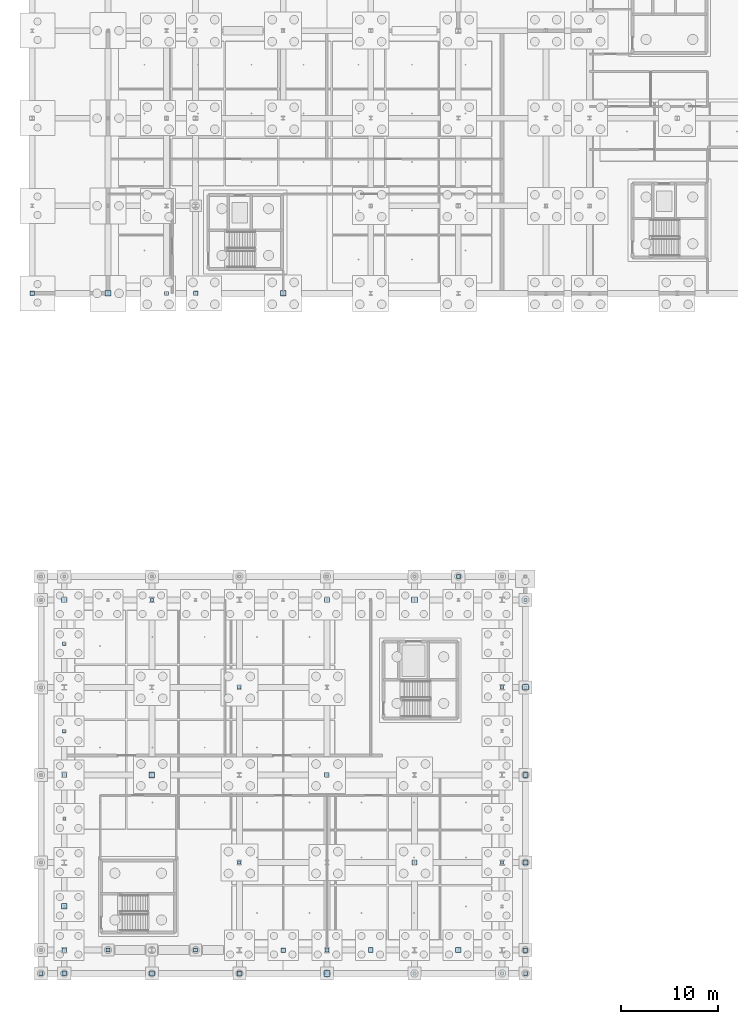
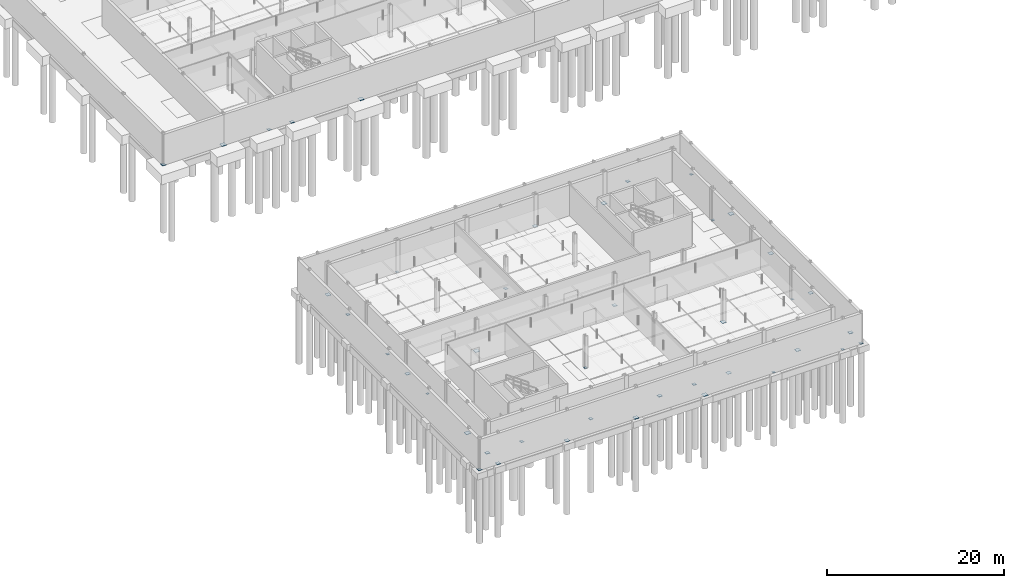
# One storey, part 21 of 48: 42 plates.
"""IFC4 building model written with IfcOpenShell, lengths in metres."""

from ifc_helpers import new_model, si_unit, direction, frame, origin, origin_2d, place, context, subcontext, project, spatial, rectangle, extrude, material, layer, layer_set, type_object, element, save


model = new_model("IFC4")

# Units and contexts
model_context = context("Model", 3, precision=1e-05, world=origin(), true_north=direction((0.0, 1.0)))
body_context = subcontext(model_context, "Body", "Model", "MODEL_VIEW")
ifc_project = project(units=[si_unit("LENGTHUNIT", "METRE"), si_unit("AREAUNIT", "SQUARE_METRE"), si_unit("VOLUMEUNIT", "CUBIC_METRE"), si_unit("PLANEANGLEUNIT", "RADIAN"), si_unit("MASSUNIT", "GRAM", prefix="KILO"), si_unit("THERMODYNAMICTEMPERATUREUNIT", "KELVIN"), si_unit("POWERUNIT", "WATT")], contexts=[model_context])

# Site, building, storey
site_placement = place(None, origin())
site = spatial("IfcSite", under=ifc_project, at=site_placement, CompositionType="ELEMENT")
building_placement = place(site_placement, origin())
building = spatial("IfcBuilding", under=site, at=building_placement, Name="Tallowbark Science Centre", CompositionType="ELEMENT")
storey_placement = place(building_placement, frame((0.0, 0.0, -4.5)))
storey = spatial("IfcBuildingStorey", under=building, at=storey_placement, Name="B1", CompositionType="ELEMENT", Elevation=-4.5)

# Plates
ifc_material = material(Name="Structural Steel Grade 300PLUS (300 MPa)", Category="steel")
ifc_layer_1 = layer(ifc_material, 0.010009765625)
ifc_layer_set_1 = layer_set([ifc_layer_1], Name="Structural Steel Grade 300PLUS (300 MPa)")
plate_type_1 = type_object("IfcPlateType", Name="PLT-GUS-10", PredefinedType="SHEET", material=ifc_layer_set_1)
for number, where, z_axis, x_axis, name in (
    (1, (67.5, 40.5, 0.0), (0.0, 0.0, 1.0), (1.0, 0.0, 0.0), "Column Baseplate CUB-M1_4"),
    (2, (103.5, 13.5, 0.0), (0.0, 0.0, 1.0), (1.0, 0.0, 0.0), "Column Baseplate CUB-M5_1"),
    (3, (58.5, 18.0, 0.0), (0.0, 0.0, 1.0), (1.0, 0.0, 0.0), "Column Baseplate CUB-PW-1"),
    (4, (94.5, 2.10009765625, 0.0), (0.0, 0.0, 1.0), (1.0, 0.0, 0.0), "Column Baseplate SCR-S05"),
    (5, (105.89990234375, 40.5, 0.0), (0.0, 0.0, 1.0), (1.0, 0.0, 0.0), "Column Baseplate SCR-E05"),
):
    element("IfcPlate", number, at=place(storey_placement, frame(where, z_axis=z_axis, x_axis=x_axis)), inside=storey, type_object=plate_type_1, Name=name, PredefinedType="SHEET", context=body_context, shape_type="SweptSolid", body=[
        extrude(rectangle(XDim=0.300048828125, YDim=0.300048828125, at=origin_2d()), origin(), (0.0, 0.0, 1.0), 0.010009765625),
    ])
ifc_layer_2 = layer(ifc_material, 0.013916015625)
ifc_layer_set_2 = layer_set([ifc_layer_2], Name="Structural Steel Grade 300PLUS (300 MPa)")
plate_type_2 = type_object("IfcPlateType", Name="PLT-GUS-14", PredefinedType="SHEET", material=ifc_layer_set_2)
for number, where, z_axis, x_axis, name in (
    (6, (76.5, 13.5, 0.0), (0.0, 0.0, 1.0), (1.0, 0.0, 0.0), "Column Baseplate CUB-M2_1"),
    (7, (103.5, 31.5, 0.0), (0.0, 0.0, 1.0), (1.0, 0.0, 0.0), "Column Baseplate CUB-M5_3"),
    (8, (58.5, 27.0, 0.0), (0.0, 0.0, 1.0), (1.0, 0.0, 0.0), "Column Baseplate CUB-PW-2"),
    (9, (103.5, 2.10009765625, 0.0), (0.0, 0.0, 1.0), (1.0, 0.0, 0.0), "Column Baseplate SCR-S06"),
):
    element("IfcPlate", number, at=place(storey_placement, frame(where, z_axis=z_axis, x_axis=x_axis)), inside=storey, type_object=plate_type_2, Name=name, PredefinedType="SHEET", context=body_context, shape_type="SweptSolid", body=[
        extrude(rectangle(XDim=0.340087890625, YDim=0.340087890625, at=origin_2d()), origin(), (0.0, 0.0, 1.0), 0.013916015625),
    ])
ifc_layer_3 = layer(ifc_material, 0.01806640625)
ifc_layer_set_3 = layer_set([ifc_layer_3], Name="Structural Steel Grade 300PLUS (300 MPa)")
plate_type_3 = type_object("IfcPlateType", Name="PLT-GUS-18", PredefinedType="SHEET", material=ifc_layer_set_3)
for number, where, z_axis, x_axis, name in (
    (10, (76.5, 31.5, 0.0), (0.0, 0.0, 1.0), (1.0, 0.0, 0.0), "Column Baseplate CUB-M2_3"),
    (11, (63.0, 4.5, 0.0), (0.0, 0.0, 1.0), (1.0, 0.0, 0.0), "Column Baseplate CUB-PS-0"),
    (12, (58.5, 36.0, 0.0), (0.0, 0.0, 1.0), (1.0, 0.0, 0.0), "Column Baseplate CUB-PW-3"),
    (13, (105.89990234375, 2.10009765625, 0.0), (0.0, 0.0, 1.0), (1.0, 0.0, 0.0), "Column Baseplate SCR-S07"),
    (14, (69.0, 72.0, 0.0), (0.0, 0.0, 1.0), (1.0, 0.0, 0.0), "Column Baseplate LAB-2_0"),
):
    element("IfcPlate", number, at=place(storey_placement, frame(where, z_axis=z_axis, x_axis=x_axis)), inside=storey, type_object=plate_type_3, Name=name, PredefinedType="SHEET", context=body_context, shape_type="SweptSolid", body=[
        extrude(rectangle(XDim=0.3798828125, YDim=0.3798828125, at=origin_2d()), origin(), (0.0, 0.0, 1.0), 0.01806640625),
    ])
ifc_layer_4 = layer(ifc_material, 0.02197265625)
ifc_layer_set_4 = layer_set([ifc_layer_4], Name="Structural Steel Grade 300PLUS (300 MPa)")
plate_type_4 = type_object("IfcPlateType", Name="PLT-GUS-22", PredefinedType="SHEET", material=ifc_layer_set_4)
for number, where, z_axis, x_axis, name in (
    (15, (85.5, 4.5, 0.0), (0.0, 0.0, 1.0), (1.0, 0.0, 0.0), "Column Baseplate CUB-M3_0"),
    (16, (72.0, 4.5, 0.0), (0.0, 0.0, 1.0), (1.0, 0.0, 0.0), "Column Baseplate CUB-PS-1"),
    (17, (56.10009765625, 2.10009765625, 0.0), (0.0, 0.0, 1.0), (1.0, 0.0, 0.0), "Column Baseplate SCR-S00"),
    (18, (99.0, 42.89990234375, 0.0), (0.0, 0.0, 1.0), (1.0, 0.0, 0.0), "Column Baseplate SCR-NLNK"),
):
    element("IfcPlate", number, at=place(storey_placement, frame(where, z_axis=z_axis, x_axis=x_axis)), inside=storey, type_object=plate_type_4, Name=name, PredefinedType="SHEET", context=body_context, shape_type="SweptSolid", body=[
        extrude(rectangle(XDim=0.419921875, YDim=0.419921875, at=origin_2d()), origin(), (0.0, 0.0, 1.0), 0.02197265625),
    ])
ifc_layer_5 = layer(ifc_material, 0.02587890625)
ifc_layer_set_5 = layer_set([ifc_layer_5], Name="Structural Steel Grade 300PLUS (300 MPa)")
plate_type_5 = type_object("IfcPlateType", Name="PLT-GUS-26", PredefinedType="SHEET", material=ifc_layer_set_5)
for number, where, z_axis, x_axis, name in (
    (19, (58.5, 4.5, 0.0), (0.0, 0.0, 1.0), (1.0, 0.0, 0.0), "Column Baseplate CUB-M0_0"),
    (20, (85.5, 22.5, 0.0), (0.0, 0.0, 1.0), (1.0, 0.0, 0.0), "Column Baseplate CUB-M3_2"),
    (21, (81.0, 4.5, 0.0), (0.0, 0.0, 1.0), (1.0, 0.0, 0.0), "Column Baseplate CUB-PSB-2"),
    (22, (58.5, 2.10009765625, 0.0), (0.0, 0.0, 1.0), (1.0, 0.0, 0.0), "Column Baseplate SCR-S01"),
    (23, (105.89990234375, 4.5, 0.0), (0.0, 0.0, 1.0), (1.0, 0.0, 0.0), "Column Baseplate SCR-E01"),
    (24, (55.199951171875, 72.0, 0.0), (0.0, 0.0, 1.0), (1.0, 0.0, 0.0), "Column Baseplate LAB-0_0"),
    (25, (72.0, 72.0, 0.0), (0.0, 0.0, 1.0), (1.0, 0.0, 0.0), "Column Baseplate LAB-3_0"),
):
    element("IfcPlate", number, at=place(storey_placement, frame(where, z_axis=z_axis, x_axis=x_axis)), inside=storey, type_object=plate_type_5, Name=name, PredefinedType="SHEET", context=body_context, shape_type="SweptSolid", body=[
        extrude(rectangle(XDim=0.4599609375, YDim=0.4599609375, at=origin_2d()), origin(), (0.0, 0.0, 1.0), 0.02587890625),
    ])
ifc_layer_6 = layer(ifc_material, 0.030029296875)
ifc_layer_set_6 = layer_set([ifc_layer_6], Name="Structural Steel Grade 300PLUS (300 MPa)")
plate_type_6 = type_object("IfcPlateType", Name="PLT-GUS-30", PredefinedType="SHEET", material=ifc_layer_set_6)
for number, where, z_axis, x_axis, name in (
    (26, (58.5, 22.5, 0.0), (0.0, 0.0, 1.0), (1.0, 0.0, 0.0), "Column Baseplate CUB-M0_2"),
    (27, (85.5, 40.5, 0.0), (0.0, 0.0, 1.0), (1.0, 0.0, 0.0), "Column Baseplate CUB-M3_4"),
    (28, (90.0, 4.5, 0.0), (0.0, 0.0, 1.0), (1.0, 0.0, 0.0), "Column Baseplate CUB-PS-3"),
    (29, (67.5, 2.10009765625, 0.0), (0.0, 0.0, 1.0), (1.0, 0.0, 0.0), "Column Baseplate SCR-S02"),
    (30, (105.89990234375, 13.5, 0.0), (0.0, 0.0, 1.0), (1.0, 0.0, 0.0), "Column Baseplate SCR-E02"),
):
    element("IfcPlate", number, at=place(storey_placement, frame(where, z_axis=z_axis, x_axis=x_axis)), inside=storey, type_object=plate_type_6, Name=name, PredefinedType="SHEET", context=body_context, shape_type="SweptSolid", body=[
        extrude(rectangle(XDim=0.5, YDim=0.5, at=origin_2d()), origin(), (0.0, 0.0, 1.0), 0.030029296875),
    ])
ifc_layer_7 = layer(ifc_material, 0.033935546875)
ifc_layer_set_7 = layer_set([ifc_layer_7], Name="Structural Steel Grade 300PLUS (300 MPa)")
plate_type_7 = type_object("IfcPlateType", Name="PLT-GUS-34", PredefinedType="SHEET", material=ifc_layer_set_7)
for number, where, z_axis, x_axis, name in (
    (31, (58.5, 40.5, 0.0), (0.0, 0.0, 1.0), (1.0, 0.0, 0.0), "Column Baseplate CUB-M0_4"),
    (32, (94.5, 13.5, 0.0), (0.0, 0.0, 1.0), (1.0, 0.0, 0.0), "Column Baseplate CUB-M4_1"),
    (33, (99.0, 4.5, 0.0), (0.0, 0.0, 1.0), (1.0, 0.0, 0.0), "Column Baseplate CUB-PS-4"),
    (34, (76.5, 2.10009765625, 0.0), (0.0, 0.0, 1.0), (1.0, 0.0, 0.0), "Column Baseplate SCR-S03"),
    (35, (105.89990234375, 22.5, 0.0), (0.0, 0.0, 1.0), (1.0, 0.0, 0.0), "Column Baseplate SCR-E03"),
):
    element("IfcPlate", number, at=place(storey_placement, frame(where, z_axis=z_axis, x_axis=x_axis)), inside=storey, type_object=plate_type_7, Name=name, PredefinedType="SHEET", context=body_context, shape_type="SweptSolid", body=[
        extrude(rectangle(XDim=0.5400390625, YDim=0.5400390625, at=origin_2d()), origin(), (0.0, 0.0, 1.0), 0.033935546875),
    ])
ifc_layer_8 = layer(ifc_material, 0.0380859375)
ifc_layer_set_8 = layer_set([ifc_layer_8], Name="Structural Steel Grade 300PLUS (300 MPa)")
plate_type_8 = type_object("IfcPlateType", Name="PLT-GUS-38", PredefinedType="SHEET", material=ifc_layer_set_8)
for number, where, z_axis, x_axis, name in (
    (36, (67.5, 22.5, 0.0), (0.0, 0.0, 1.0), (1.0, 0.0, 0.0), "Column Baseplate CUB-M1_2"),
    (37, (94.5, 40.5, 0.0), (0.0, 0.0, 1.0), (1.0, 0.0, 0.0), "Column Baseplate CUB-M4_4"),
    (38, (58.5, 9.0, 0.0), (0.0, 0.0, 1.0), (1.0, 0.0, 0.0), "Column Baseplate CUB-PW-0"),
    (39, (85.5, 2.10009765625, 0.0), (0.0, 0.0, 1.0), (1.0, 0.0, 0.0), "Column Baseplate SCR-S04"),
    (40, (105.89990234375, 31.5, 0.0), (0.0, 0.0, 1.0), (1.0, 0.0, 0.0), "Column Baseplate SCR-E04"),
    (41, (63.0, 72.0, 0.0), (0.0, 0.0, 1.0), (1.0, 0.0, 0.0), "Column Baseplate LAB-1_0"),
    (42, (81.0, 72.0, 0.0), (0.0, 0.0, 1.0), (1.0, 0.0, 0.0), "Column Baseplate LAB-4_0"),
):
    element("IfcPlate", number, at=place(storey_placement, frame(where, z_axis=z_axis, x_axis=x_axis)), inside=storey, type_object=plate_type_8, Name=name, PredefinedType="SHEET", context=body_context, shape_type="SweptSolid", body=[
        extrude(rectangle(XDim=0.580078125, YDim=0.580078125, at=origin_2d()), origin(), (0.0, 0.0, 1.0), 0.0380859375),
    ])

save(model, "model.ifc")
